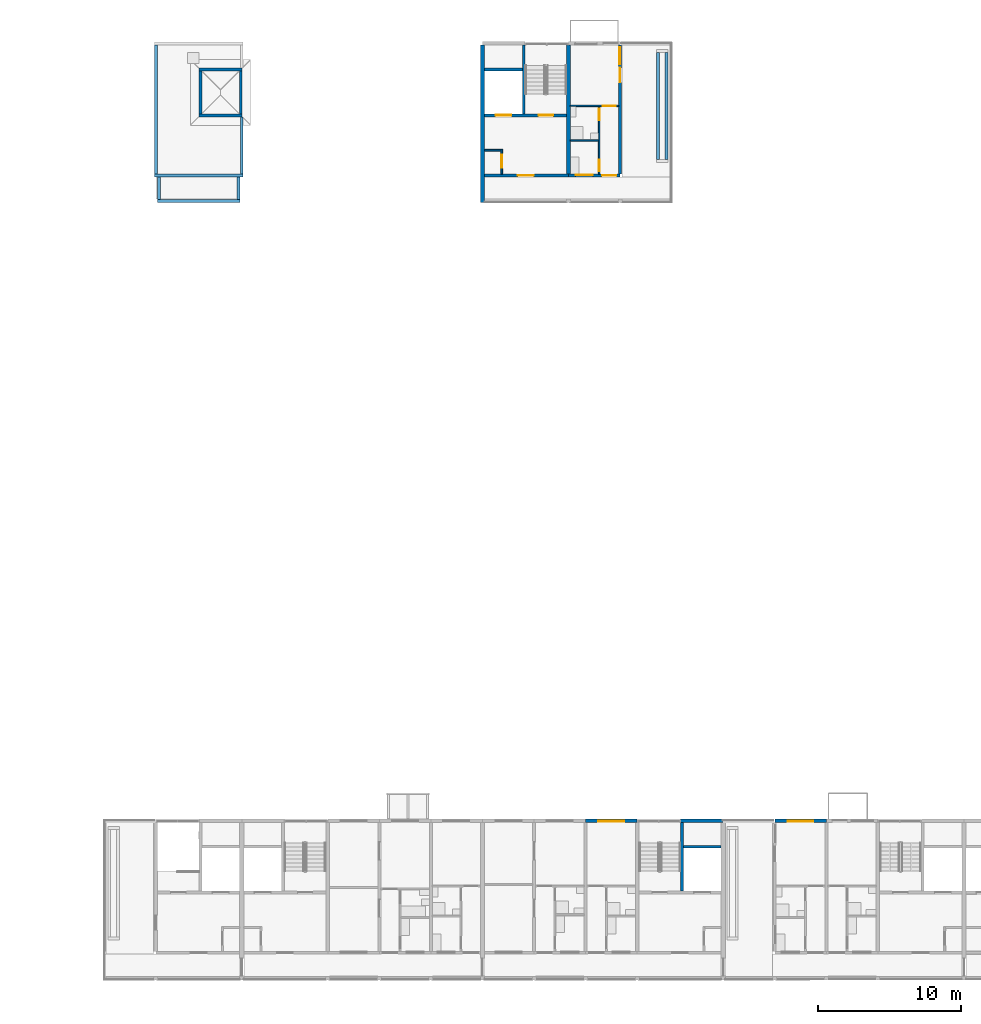
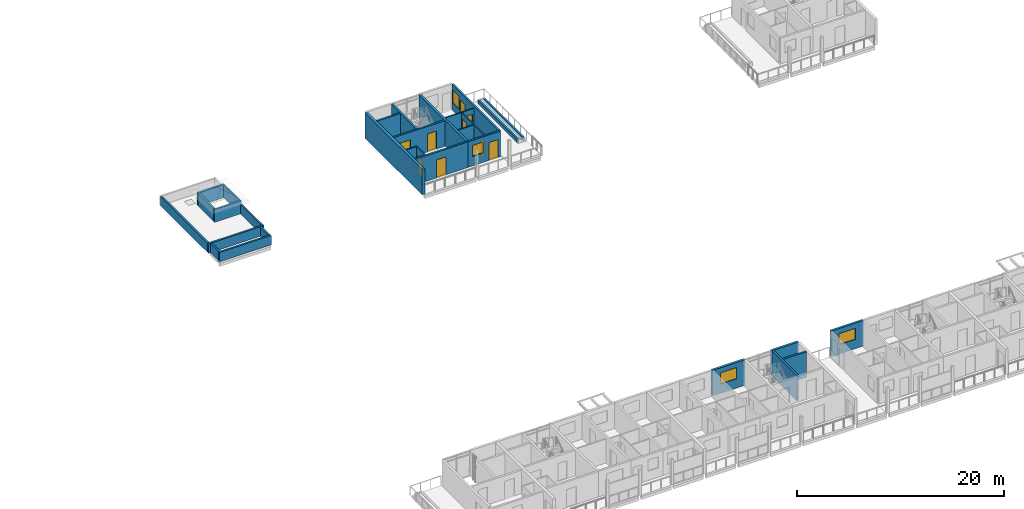
# One storey, part 35 of 64: 30 walls, 9 doors, 4 windows, 13 openings.
"""IFC4 building model written with IfcOpenShell, lengths in metres."""

from ifc_helpers import new_model, si_unit, direction, frame, frame_2d, origin, place, context, subcontext, project, spatial, rectangle, extrude, material, layer, layer_set, type_object, element, fill, save


model = new_model("IFC4")

# Units and contexts
model_context = context("Model", 3, precision=1e-05, world=origin(), true_north=direction((0.0, 1.0)))
body_context = subcontext(model_context, "Body", "Model", "MODEL_VIEW")
ifc_project = project(units=[si_unit("LENGTHUNIT", "METRE"), si_unit("AREAUNIT", "SQUARE_METRE"), si_unit("VOLUMEUNIT", "CUBIC_METRE"), si_unit("PLANEANGLEUNIT", "RADIAN"), si_unit("MASSUNIT", "GRAM", prefix="KILO")], contexts=[model_context])

# Site, building, storey
site_placement = place(None, origin())
site = spatial("IfcSite", under=ifc_project, at=site_placement, CompositionType="ELEMENT")
building_placement = place(site_placement, origin())
building = spatial("IfcBuilding", under=site, at=building_placement, Name="Ridgestep Commons", CompositionType="ELEMENT")
storey_placement = place(building_placement, frame((0.0, 0.0, 33.0)))
storey = spatial("IfcBuildingStorey", under=building, at=storey_placement, Name="L11", CompositionType="ELEMENT", Elevation=33.0)

# Wall
ifc_material_1 = material(Name="Concrete C30/37", Category="concrete")
ifc_layer_1 = layer(ifc_material_1, 0.25)
ifc_layer_set_1 = layer_set([ifc_layer_1], Name="Core cross wall 250")
wall_type_1 = type_object("IfcWallType", Name="Core cross wall 250", PredefinedType="SHEAR", material=ifc_layer_set_1)
wall_1_placement = place(storey_placement, frame((186.39990234375, 68.0, 0.0), z_axis=(0.0, 0.0, 1.0), x_axis=(0.0, 1.0, 0.0)))
element("IfcWall", 1, at=wall_1_placement, inside=storey, type_object=wall_type_1, Name="Cross wall C-11-1864", PredefinedType="SHEAR", context=body_context, shape_type="SweptSolid", body=[
    extrude(rectangle(XDim=9.0, YDim=0.25, at=frame_2d((4.5, 0.0))), origin(), (0.0, 0.0, 1.0), 3.0),
])

# Wall, opening, door
ifc_material_2 = material(Name="Concrete C30/37", Category="concrete")
ifc_layer_2 = layer(ifc_material_2, 0.199951171875)
ifc_layer_set_2 = layer_set([ifc_layer_2], Name="Core south wall 200")
wall_type_2 = type_object("IfcWallType", Name="Core south wall 200", PredefinedType="SHEAR", material=ifc_layer_set_2)
wall_2_placement = place(storey_placement, frame((180.550048828125, 67.89990234375, 0.0), z_axis=(0.0, 0.0, 1.0), x_axis=(1.0, 0.0, 0.0)))
wall_2 = element("IfcWall", 2, at=wall_2_placement, inside=storey, type_object=wall_type_2, Name="Core south wall C3C L11", PredefinedType="SHEAR", context=body_context, shape_type="SweptSolid", body=[
    extrude(rectangle(XDim=5.849853515625, YDim=0.199951171875, at=frame_2d((2.9248046875, 0.0))), origin(), (0.0, 0.0, 1.0), 3.0),
])
opening_1_placement = place(wall_2_placement, frame((2.3125, 0.0, 0.0)))
opening_1 = element("IfcOpeningElement", 3, at=opening_1_placement, cuts=wall_2, Name="Opening C3C/11/1", PredefinedType="OPENING", context=body_context, shape_type="SweptSolid", body=[
    extrude(rectangle(XDim=1.10009765625, YDim=2.10009765625, at=frame_2d((0.550048828125, 1.050048828125))), frame((0.0, 0.10986328125, 0.0), z_axis=(0.0, -1.0, 0.0), x_axis=(1.0, 0.0, 0.0)), (0.0, 0.0, 1.0), 0.219970703125),
])
ifc_material_3 = material(Name="Steel fire door", Category="steel")
door_type_1 = type_object("IfcDoorType", Name="Lobby door 1100 x 2100 FD60", OperationType="NOTDEFINED", PredefinedType="DOOR", material=ifc_material_3)
door_1_placement = place(opening_1_placement, origin())
door_1 = element("IfcDoor", 4, at=door_1_placement, inside=storey, type_object=door_type_1, Name="Lobby door C3C/11/1", OperationType="SINGLE_SWING_LEFT", OverallHeight=2.10009765625, OverallWidth=1.10009765625, PredefinedType="DOOR", context=body_context, shape_type="SweptSolid", body=[
    extrude(rectangle(XDim=1.10009765625, YDim=2.10009765625, at=frame_2d((0.550048828125, 1.050048828125))), frame((0.0, 0.02490234375, 0.0), z_axis=(0.0, -1.0, 0.0), x_axis=(1.0, 0.0, 0.0)), (0.0, 0.0, 1.0), 0.050048828125),
])
fill(opening_1, door_1)

ifc_material_4 = material(Name="Concrete C30/37", Category="concrete")
ifc_layer_3 = layer(ifc_material_4, 0.1201171875)
ifc_layer_set_3 = layer_set([ifc_layer_3], Name="Core wall 120")
wall_type_3 = type_object("IfcWallType", Name="Core wall 120", PredefinedType="SHEAR", material=ifc_layer_set_3)
wall_3_placement = place(storey_placement, frame((181.739990234375, 68.0, 0.0), z_axis=(0.0, 0.0, 1.0), x_axis=(0.0, 1.0, 0.0)))
wall_3 = element("IfcWall", 5, at=wall_3_placement, inside=storey, type_object=wall_type_3, Name="Core riser w wall C3C L11", PredefinedType="SHEAR", context=body_context, shape_type="SweptSolid", body=[
    extrude(rectangle(XDim=1.719970703125, YDim=0.1201171875, at=frame_2d((0.85986328125, 0.0))), origin(), (0.0, 0.0, 1.0), 3.0),
])
opening_2_placement = place(wall_3_placement, frame((0.449951171875, 0.0, 0.0)))
opening_2 = element("IfcOpeningElement", 6, at=opening_2_placement, cuts=wall_3, Name="Opening C3C/11/4", PredefinedType="OPENING", context=body_context, shape_type="SweptSolid", body=[
    extrude(rectangle(XDim=0.89990234375, YDim=2.10009765625, at=frame_2d((0.449951171875, 1.050048828125))), frame((0.0, 0.070068359375, 0.0), z_axis=(0.0, -1.0, 0.0), x_axis=(1.0, 0.0, 0.0)), (0.0, 0.0, 1.0), 0.14013671875),
])
ifc_material_5 = material(Name="Steel fire door", Category="steel")
door_type_2 = type_object("IfcDoorType", Name="Riser door 900 x 2100 FD60", OperationType="NOTDEFINED", PredefinedType="DOOR", material=ifc_material_5)
door_2_placement = place(opening_2_placement, origin())
door_2 = element("IfcDoor", 7, at=door_2_placement, inside=storey, type_object=door_type_2, Name="Riser door C3C/11/4", OperationType="SINGLE_SWING_RIGHT", OverallHeight=2.10009765625, OverallWidth=0.89990234375, PredefinedType="DOOR", context=body_context, shape_type="SweptSolid", body=[
    extrude(rectangle(XDim=0.89990234375, YDim=2.10009765625, at=frame_2d((0.449951171875, 1.050048828125))), frame((0.0, 0.02490234375, 0.0), z_axis=(0.0, -1.0, 0.0), x_axis=(1.0, 0.0, 0.0)), (0.0, 0.0, 1.0), 0.050048828125),
])
fill(opening_2, door_2)

# Wall
wall_4_placement = place(storey_placement, frame((180.550048828125, 69.659912109375, 0.0), z_axis=(0.0, 0.0, 1.0), x_axis=(1.0, 0.0, 0.0)))
element("IfcWall", 8, at=wall_4_placement, inside=storey, type_object=wall_type_3, Name="Core riser n wall C3C L11", PredefinedType="SHEAR", context=body_context, shape_type="SweptSolid", body=[
    extrude(rectangle(XDim=1.1298828125, YDim=0.1201171875, at=frame_2d((0.56494140625, 0.0))), origin(), (0.0, 0.0, 1.0), 3.0),
])

# Wall, openings, doors
ifc_material_6 = material(Name="Concrete C30/37", Category="concrete")
ifc_layer_4 = layer(ifc_material_6, 0.199951171875)
ifc_layer_set_4 = layer_set([ifc_layer_4], Name="Core wall 200")
wall_type_4 = type_object("IfcWallType", Name="Core wall 200", PredefinedType="SHEAR", material=ifc_layer_set_4)
wall_5_placement = place(storey_placement, frame((180.550048828125, 72.10009765625, 0.0), z_axis=(0.0, 0.0, 1.0), x_axis=(1.0, 0.0, 0.0)))
wall_5 = element("IfcWall", 9, at=wall_5_placement, inside=storey, type_object=wall_type_4, Name="Core lobby wall C3C L11", PredefinedType="SHEAR", context=body_context, shape_type="SweptSolid", body=[
    extrude(rectangle(XDim=5.724853515625, YDim=0.199951171875, at=frame_2d((2.8623046875, 0.0))), origin(), (0.0, 0.0, 1.0), 3.0),
])
opening_3_placement = place(wall_5_placement, frame((3.77490234375, 0.0, 0.0)))
opening_3 = element("IfcOpeningElement", 10, at=opening_3_placement, cuts=wall_5, Name="Opening C3C/11/2", PredefinedType="OPENING", context=body_context, shape_type="SweptSolid", body=[
    extrude(rectangle(XDim=1.0, YDim=2.10009765625, at=frame_2d((0.5, 1.050048828125))), frame((0.0, 0.10986328125, 0.0), z_axis=(0.0, -1.0, 0.0), x_axis=(1.0, 0.0, 0.0)), (0.0, 0.0, 1.0), 0.219970703125),
])
opening_4_placement = place(wall_5_placement, frame((0.762451171875, 0.0, 0.0)))
opening_4 = element("IfcOpeningElement", 11, at=opening_4_placement, cuts=wall_5, Name="Opening C3C/11/3", PredefinedType="OPENING", context=body_context, shape_type="SweptSolid", body=[
    extrude(rectangle(XDim=1.10009765625, YDim=2.10009765625, at=frame_2d((0.550048828125, 1.050048828125))), frame((0.0, 0.10986328125, 0.0), z_axis=(0.0, -1.0, 0.0), x_axis=(1.0, 0.0, 0.0)), (0.0, 0.0, 1.0), 0.219970703125),
])
ifc_material_7 = material(Name="Stainless steel", Category="steel")
door_type_3 = type_object("IfcDoorType", Name="Lift landing door 1100 x 2100 FD60", OperationType="DOUBLE_DOOR_SLIDING", PredefinedType="DOOR", material=ifc_material_7)
door_3_placement = place(opening_4_placement, origin())
door_3 = element("IfcDoor", 12, at=door_3_placement, inside=storey, type_object=door_type_3, Name="Landing door LD C3C L11", OperationType="DOUBLE_DOOR_SLIDING", OverallHeight=2.10009765625, OverallWidth=1.10009765625, PredefinedType="DOOR", context=body_context, shape_type="SweptSolid", body=[
    extrude(rectangle(XDim=1.10009765625, YDim=2.10009765625, at=frame_2d((0.550048828125, 1.050048828125))), frame((0.0, 0.02490234375, 0.0), z_axis=(0.0, -1.0, 0.0), x_axis=(1.0, 0.0, 0.0)), (0.0, 0.0, 1.0), 0.050048828125),
])
fill(opening_4, door_3)
ifc_material_8 = material(Name="Steel fire door", Category="steel")
door_type_4 = type_object("IfcDoorType", Name="Stair door 1000 x 2100 FD60", OperationType="NOTDEFINED", PredefinedType="DOOR", material=ifc_material_8)
door_4_placement = place(opening_3_placement, origin())
door_4 = element("IfcDoor", 13, at=door_4_placement, inside=storey, type_object=door_type_4, Name="Stair door C3C/11/2", OperationType="SINGLE_SWING_RIGHT", OverallHeight=2.10009765625, OverallWidth=1.0, PredefinedType="DOOR", context=body_context, shape_type="SweptSolid", body=[
    extrude(rectangle(XDim=1.0, YDim=2.10009765625, at=frame_2d((0.5, 1.050048828125))), frame((0.0, 0.02490234375, 0.0), z_axis=(0.0, -1.0, 0.0), x_axis=(1.0, 0.0, 0.0)), (0.0, 0.0, 1.0), 0.050048828125),
])
fill(opening_3, door_4)

# Walls
wall_6_placement = place(storey_placement, frame((183.27490234375, 72.199951171875, 0.0), z_axis=(0.0, 0.0, 1.0), x_axis=(0.0, 1.0, 0.0)))
element("IfcWall", 14, at=wall_6_placement, inside=storey, type_object=wall_type_4, Name="Core stair wall C3C L11", PredefinedType="SHEAR", context=body_context, shape_type="SweptSolid", body=[
    extrude(rectangle(XDim=4.800048828125, YDim=0.199951171875, at=frame_2d((2.39990234375, 0.0))), origin(), (0.0, 0.0, 1.0), 3.0),
])
wall_7_placement = place(storey_placement, frame((180.550048828125, 75.300048828125, 0.0), z_axis=(0.0, 0.0, 1.0), x_axis=(1.0, 0.0, 0.0)))
element("IfcWall", 15, at=wall_7_placement, inside=storey, type_object=wall_type_4, Name="Core duct wall C3C L11", PredefinedType="SHEAR", context=body_context, shape_type="SweptSolid", body=[
    extrude(rectangle(XDim=2.625, YDim=0.199951171875, at=frame_2d((1.3125, 0.0))), origin(), (0.0, 0.0, 1.0), 3.0),
])
wall_8_placement = place(storey_placement, frame((194.324951171875, 17.949951171875, 0.0), z_axis=(0.0, 0.0, 1.0), x_axis=(0.0, 1.0, 0.0)))
element("IfcWall", 16, at=wall_8_placement, inside=storey, type_object=wall_type_4, Name="Core stair wall D3C L11", PredefinedType="SHEAR", context=body_context, shape_type="SweptSolid", body=[
    extrude(rectangle(XDim=4.800048828125, YDim=0.199951171875, at=frame_2d((2.39990234375, 0.0))), origin(), (0.0, 0.0, 1.0), 3.0),
])
wall_9_placement = place(storey_placement, frame((194.425048828125, 21.050048828125, 0.0), z_axis=(0.0, 0.0, 1.0), x_axis=(1.0, 0.0, 0.0)))
element("IfcWall", 17, at=wall_9_placement, inside=storey, type_object=wall_type_4, Name="Core duct wall D3C L11", PredefinedType="SHEAR", context=body_context, shape_type="SweptSolid", body=[
    extrude(rectangle(XDim=2.625, YDim=0.199951171875, at=frame_2d((1.3125, 0.0))), origin(), (0.0, 0.0, 1.0), 3.0),
])

# Wall, openings, window, door
ifc_material_9 = material(Name="Precast concrete C40/50", Category="concrete")
ifc_layer_5 = layer(ifc_material_9, 0.199951171875)
ifc_layer_set_5 = layer_set([ifc_layer_5], Name="Exposed cross wall 200")
wall_type_5 = type_object("IfcWallType", Name="Exposed cross wall 200", PredefinedType="SHEAR", material=ifc_layer_set_5)
wall_10_placement = place(storey_placement, frame((190.0, 68.0, 0.0), z_axis=(0.0, 0.0, 1.0), x_axis=(0.0, 1.0, 0.0)))
wall_10 = element("IfcWall", 18, at=wall_10_placement, inside=storey, type_object=wall_type_5, Name="Cross wall C-11-1900", PredefinedType="SHEAR", context=body_context, shape_type="SweptSolid", body=[
    extrude(rectangle(XDim=9.0, YDim=0.199951171875, at=frame_2d((4.5, 0.0))), origin(), (0.0, 0.0, 1.0), 3.0),
])
opening_5_placement = place(wall_10_placement, frame((7.652587890625, 0.0, 0.89990234375)))
opening_5 = element("IfcOpeningElement", 19, at=opening_5_placement, cuts=wall_10, Name="Opening W10", PredefinedType="OPENING", context=body_context, shape_type="SweptSolid", body=[
    extrude(rectangle(XDim=1.199951171875, YDim=1.5, at=frame_2d((0.60009765625, 0.75))), frame((0.0, 0.10986328125, 0.0), z_axis=(0.0, -1.0, 0.0), x_axis=(1.0, 0.0, 0.0)), (0.0, 0.0, 1.0), 0.219970703125),
])
opening_6_placement = place(wall_10_placement, frame((6.405029296875, 0.0, 0.0)))
opening_6 = element("IfcOpeningElement", 20, at=opening_6_placement, cuts=wall_10, Name="Opening C3-11a/5", PredefinedType="OPENING", context=body_context, shape_type="SweptSolid", body=[
    extrude(rectangle(XDim=1.0, YDim=2.10009765625, at=frame_2d((0.5, 1.050048828125))), frame((0.0, 0.10986328125, 0.0), z_axis=(0.0, -1.0, 0.0), x_axis=(1.0, 0.0, 0.0)), (0.0, 0.0, 1.0), 0.219970703125),
])
ifc_material_10 = material(Name="Aluminium 6063-T6 and glass", Category="aluminium")
window_type_1 = type_object("IfcWindowType", Name="Flat window 1200 x 1500", PartitioningType="SINGLE_PANEL", PredefinedType="WINDOW", material=ifc_material_10)
window_1_placement = place(opening_5_placement, origin())
window_1 = element("IfcWindow", 21, at=window_1_placement, inside=storey, type_object=window_type_1, Name="Window C3-11a 3", OverallHeight=1.5, OverallWidth=1.199951171875, PartitioningType="SINGLE_PANEL", PredefinedType="WINDOW", context=body_context, shape_type="SweptSolid", body=[
    extrude(rectangle(XDim=1.199951171875, YDim=1.5, at=frame_2d((0.60009765625, 0.75))), frame((0.0, 0.06005859375, 0.0), z_axis=(0.0, -1.0, 0.0), x_axis=(1.0, 0.0, 0.0)), (0.0, 0.0, 1.0), 0.06005859375),
])
fill(opening_5, window_1)
ifc_material_11 = material(Name="Aluminium and glass", Category="aluminium")
door_type_5 = type_object("IfcDoorType", Name="Terrace door 1000 x 2100", OperationType="NOTDEFINED", PredefinedType="DOOR", material=ifc_material_11)
door_5_placement = place(opening_6_placement, origin())
door_5 = element("IfcDoor", 22, at=door_5_placement, inside=storey, type_object=door_type_5, Name="Terrace door C3-11a/5", OperationType="SINGLE_SWING_LEFT", OverallHeight=2.10009765625, OverallWidth=1.0, PredefinedType="DOOR", context=body_context, shape_type="SweptSolid", body=[
    extrude(rectangle(XDim=1.0, YDim=2.10009765625, at=frame_2d((0.5, 1.050048828125))), frame((0.0, 0.02490234375, 0.0), z_axis=(0.0, -1.0, 0.0), x_axis=(1.0, 0.0, 0.0)), (0.0, 0.0, 1.0), 0.050048828125),
])
fill(opening_6, door_5)

# Walls
ifc_material_12 = material(Name="Precast concrete C40/50", Category="concrete")
ifc_layer_6 = layer(ifc_material_12, 0.300048828125)
ifc_layer_set_6 = layer_set([ifc_layer_6], Name="Exposed division wall 300")
wall_type_6 = type_object("IfcWallType", Name="Exposed division wall 300", PredefinedType="SHEAR", material=ifc_layer_set_6)
wall_11_placement = place(storey_placement, frame((180.39990234375, 66.0, 0.0), z_axis=(0.0, 0.0, 1.0), x_axis=(0.0, 1.0, 0.0)))
element("IfcWall", 23, at=wall_11_placement, inside=storey, type_object=wall_type_6, Name="Cross wall C-11-1804", PredefinedType="SHEAR", context=body_context, shape_type="SweptSolid", body=[
    extrude(rectangle(XDim=11.0, YDim=0.300048828125, at=frame_2d((5.5, 0.0))), origin(), (0.0, 0.0, 1.0), 3.0),
])
ifc_material_13 = material(Name="Concrete C30/37", Category="concrete")
ifc_layer_7 = layer(ifc_material_13, 0.14990234375)
ifc_layer_set_7 = layer_set([ifc_layer_7], Name="Lift overrun wall 150")
wall_type_7 = type_object("IfcWallType", Name="Lift overrun wall 150", PredefinedType="SHEAR", material=ifc_layer_set_7)
wall_12_placement = place(storey_placement, frame((163.52490234375, 72.199951171875, 0.0), z_axis=(0.0, 0.0, 1.0), x_axis=(0.0, 1.0, 0.0)))
element("IfcWall", 24, at=wall_12_placement, inside=storey, type_object=wall_type_7, Name="Lift overrun wall C1C", PredefinedType="SHEAR", context=body_context, shape_type="SweptSolid", body=[
    extrude(rectangle(XDim=3.0, YDim=0.14990234375, at=frame_2d((1.5, 0.0))), origin(), (0.0, 0.0, 1.0), 1.5),
])
ifc_material_14 = material(Name="Concrete C30/37", Category="concrete")
ifc_layer_8 = layer(ifc_material_14, 0.199951171875)
ifc_layer_set_8 = layer_set([ifc_layer_8], Name="Lift overrun wall 200")
wall_type_8 = type_object("IfcWallType", Name="Lift overrun wall 200", PredefinedType="SHEAR", material=ifc_layer_set_8)
for number, where, z_axis, x_axis, name in (
    (25, (160.625, 72.10009765625, 0.0), (0.0, 0.0, 1.0), (1.0, 0.0, 0.0), "Lift overrun wall C1C"),
    (26, (160.625, 75.300048828125, 0.0), (0.0, 0.0, 1.0), (1.0, 0.0, 0.0), "Lift overrun wall C1C"),
):
    element("IfcWall", number, at=place(storey_placement, frame(where, z_axis=z_axis, x_axis=x_axis)), inside=storey, type_object=wall_type_8, Name=name, PredefinedType="SHEAR", context=body_context, shape_type="SweptSolid", body=[
        extrude(rectangle(XDim=2.97509765625, YDim=0.199951171875, at=frame_2d((1.487548828125, 0.0))), origin(), (0.0, 0.0, 1.0), 1.5),
    ])
wall_13_placement = place(storey_placement, frame((160.72509765625, 72.199951171875, 0.0), z_axis=(0.0, 0.0, 1.0), x_axis=(0.0, 1.0, 0.0)))
element("IfcWall", 27, at=wall_13_placement, inside=storey, type_object=wall_type_8, Name="Lift overrun wall C1C", PredefinedType="SHEAR", context=body_context, shape_type="SweptSolid", body=[
    extrude(rectangle(XDim=3.0, YDim=0.199951171875, at=frame_2d((1.5, 0.0))), origin(), (0.0, 0.0, 1.0), 1.5),
])

# Wall, opening, window
ifc_material_15 = material(Name="Precast concrete C40/50", Category="concrete")
ifc_layer_9 = layer(ifc_material_15, 0.25)
ifc_layer_set_9 = layer_set([ifc_layer_9], Name="North facade panel 250")
wall_type_9 = type_object("IfcWallType", Name="North facade panel 250", PredefinedType="SOLIDWALL", material=ifc_layer_set_9)
wall_14_placement = place(storey_placement, frame((187.60009765625, 22.875, 0.0), z_axis=(0.0, 0.0, 1.0), x_axis=(1.0, 0.0, 0.0)))
wall_14 = element("IfcWall", 28, at=wall_14_placement, inside=storey, type_object=wall_type_9, Name="North panel D3T3 L11", PredefinedType="SOLIDWALL", context=body_context, shape_type="SweptSolid", body=[
    extrude(rectangle(XDim=3.599853515625, YDim=0.25, at=frame_2d((1.7998046875, 0.0))), origin(), (0.0, 0.0, 1.0), 3.0),
])
opening_7_placement = place(wall_14_placement, frame((0.887451171875, 0.0, 1.10009765625)))
opening_7 = element("IfcOpeningElement", 29, at=opening_7_placement, cuts=wall_14, Name="Opening W18", PredefinedType="OPENING", context=body_context, shape_type="SweptSolid", body=[
    extrude(rectangle(XDim=1.800048828125, YDim=1.300048828125, at=frame_2d((0.89990234375, 0.64990234375))), frame((0.0, 0.135009765625, 0.0), z_axis=(0.0, -1.0, 0.0), x_axis=(1.0, 0.0, 0.0)), (0.0, 0.0, 1.0), 0.27001953125),
])
ifc_material_16 = material(Name="Aluminium 6063-T6 and glass", Category="aluminium")
window_type_2 = type_object("IfcWindowType", Name="Flat window 1800 x 1300", PartitioningType="DOUBLE_PANEL_VERTICAL", PredefinedType="WINDOW", material=ifc_material_16)
window_2_placement = place(opening_7_placement, origin())
window_2 = element("IfcWindow", 30, at=window_2_placement, inside=storey, type_object=window_type_2, Name="Window D3-11b 2", OverallHeight=1.300048828125, OverallWidth=1.800048828125, PartitioningType="SINGLE_PANEL", PredefinedType="WINDOW", context=body_context, shape_type="SweptSolid", body=[
    extrude(rectangle(XDim=1.800048828125, YDim=1.300048828125, at=frame_2d((0.89990234375, 0.64990234375))), frame((0.0, -0.02490234375, 0.0), z_axis=(0.0, -1.0, 0.0), x_axis=(1.0, 0.0, 0.0)), (0.0, 0.0, 1.0), 0.06005859375),
])
fill(opening_7, window_2)

# Wall
wall_15_placement = place(storey_placement, frame((194.22509765625, 22.875, 0.0), z_axis=(0.0, 0.0, 1.0), x_axis=(1.0, 0.0, 0.0)))
element("IfcWall", 31, at=wall_15_placement, inside=storey, type_object=wall_type_9, Name="North panel D3C L11", PredefinedType="SOLIDWALL", context=body_context, shape_type="SweptSolid", body=[
    extrude(rectangle(XDim=2.974853515625, YDim=0.25, at=frame_2d((1.4873046875, 0.0))), origin(), (0.0, 0.0, 1.0), 3.0),
])

# Wall, opening, window
wall_16_placement = place(storey_placement, frame((200.800048828125, 22.875, 0.0), z_axis=(0.0, 0.0, 1.0), x_axis=(1.0, 0.0, 0.0)))
wall_16 = element("IfcWall", 32, at=wall_16_placement, inside=storey, type_object=wall_type_9, Name="North panel D4T2 L11", PredefinedType="SOLIDWALL", context=body_context, shape_type="SweptSolid", body=[
    extrude(rectangle(XDim=3.599853515625, YDim=0.25, at=frame_2d((1.7998046875, 0.0))), origin(), (0.0, 0.0, 1.0), 3.0),
])
opening_8_placement = place(wall_16_placement, frame((0.89990234375, 0.0, 1.10009765625)))
opening_8 = element("IfcOpeningElement", 33, at=opening_8_placement, cuts=wall_16, Name="Opening W18", PredefinedType="OPENING", context=body_context, shape_type="SweptSolid", body=[
    extrude(rectangle(XDim=1.800048828125, YDim=1.300048828125, at=frame_2d((0.89990234375, 0.64990234375))), frame((0.0, 0.135009765625, 0.0), z_axis=(0.0, -1.0, 0.0), x_axis=(1.0, 0.0, 0.0)), (0.0, 0.0, 1.0), 0.27001953125),
])
window_3_placement = place(opening_8_placement, origin())
window_3 = element("IfcWindow", 34, at=window_3_placement, inside=storey, type_object=window_type_2, Name="Window D4-11a 2", OverallHeight=1.300048828125, OverallWidth=1.800048828125, PartitioningType="SINGLE_PANEL", PredefinedType="WINDOW", context=body_context, shape_type="SweptSolid", body=[
    extrude(rectangle(XDim=1.800048828125, YDim=1.300048828125, at=frame_2d((0.89990234375, 0.64990234375))), frame((0.0, -0.02490234375, 0.0), z_axis=(0.0, -1.0, 0.0), x_axis=(1.0, 0.0, 0.0)), (0.0, 0.0, 1.0), 0.06005859375),
])
fill(opening_8, window_3)

# Walls
ifc_material_17 = material(Name="Precast concrete C40/50", Category="concrete")
ifc_layer_10 = layer(ifc_material_17, 0.199951171875)
ifc_layer_set_10 = layer_set([ifc_layer_10], Name="Parapet wall 200")
wall_type_10 = type_object("IfcWallType", Name="Parapet wall 200", PredefinedType="PARAPET", material=ifc_layer_set_10)
wall_17_placement = place(storey_placement, frame((157.5, 67.89990234375, 0.0), z_axis=(0.0, 0.0, 1.0), x_axis=(1.0, 0.0, 0.0)))
element("IfcWall", 35, at=wall_17_placement, inside=storey, type_object=wall_type_10, Name="Parapet C1C south", PredefinedType="PARAPET", context=body_context, shape_type="SweptSolid", body=[
    extrude(rectangle(XDim=6.199951171875, YDim=0.199951171875, at=frame_2d((3.10009765625, 0.0))), origin(), (0.0, 0.0, 1.0), 1.10009765625),
])
wall_18_placement = place(storey_placement, frame((157.60009765625, 68.0, 0.0), z_axis=(0.0, 0.0, 1.0), x_axis=(0.0, 1.0, 0.0)))
element("IfcWall", 36, at=wall_18_placement, inside=storey, type_object=wall_type_10, Name="Parapet C1C west", PredefinedType="PARAPET", context=body_context, shape_type="SweptSolid", body=[
    extrude(rectangle(XDim=9.02490234375, YDim=0.199951171875, at=frame_2d((4.512451171875, 0.0))), origin(), (0.0, 0.0, 1.0), 1.10009765625),
])
wall_19_placement = place(storey_placement, frame((163.60009765625, 68.0, 0.0), z_axis=(0.0, 0.0, 1.0), x_axis=(0.0, 1.0, 0.0)))
element("IfcWall", 37, at=wall_19_placement, inside=storey, type_object=wall_type_10, Name="Parapet C1C east", PredefinedType="PARAPET", context=body_context, shape_type="SweptSolid", body=[
    extrude(rectangle(XDim=4.0, YDim=0.199951171875, at=frame_2d((2.0, 0.0))), origin(), (0.0, 0.0, 1.0), 1.10009765625),
])
wall_20_placement = place(storey_placement, frame((157.72509765625, 66.125, 0.0), z_axis=(0.0, 0.0, 1.0), x_axis=(1.0, 0.0, 0.0)))
element("IfcWall", 38, at=wall_20_placement, inside=storey, type_object=wall_type_10, Name="Parapet C1C gallery south", PredefinedType="PARAPET", context=body_context, shape_type="SweptSolid", body=[
    extrude(rectangle(XDim=5.75, YDim=0.199951171875, at=frame_2d((2.875, 0.0))), origin(), (0.0, 0.0, 1.0), 1.10009765625),
])
for number, where, z_axis, x_axis, name in (
    (39, (157.824951171875, 66.22509765625, 0.0), (0.0, 0.0, 1.0), (0.0, 1.0, 0.0), "Parapet C1C gallery west"),
    (40, (163.375, 66.22509765625, 0.0), (0.0, 0.0, 1.0), (0.0, 1.0, 0.0), "Parapet C1C gallery east"),
):
    element("IfcWall", number, at=place(storey_placement, frame(where, z_axis=z_axis, x_axis=x_axis)), inside=storey, type_object=wall_type_10, Name=name, PredefinedType="PARAPET", context=body_context, shape_type="SweptSolid", body=[
        extrude(rectangle(XDim=1.574951171875, YDim=0.199951171875, at=frame_2d((0.78759765625, 0.0))), origin(), (0.0, 0.0, 1.0), 1.10009765625),
    ])
ifc_material_18 = material(Name="Common brick 110 mm", Category="masonry")
ifc_layer_11 = layer(ifc_material_18, 0.110107421875)
ifc_layer_set_11 = layer_set([ifc_layer_11], Name="Partition 110")
wall_type_11 = type_object("IfcWallType", Name="Partition 110", PredefinedType="PARTITIONING", material=ifc_layer_set_11)
wall_21_placement = place(storey_placement, frame((186.52490234375, 70.35498046875, 0.0), z_axis=(0.0, 0.0, 1.0), x_axis=(1.0, 0.0, 0.0)))
element("IfcWall", 41, at=wall_21_placement, inside=storey, type_object=wall_type_11, Name="Partition C3-11a", PredefinedType="PARTITIONING", context=body_context, shape_type="SweptSolid", body=[
    extrude(rectangle(XDim=1.965087890625, YDim=0.110107421875, at=frame_2d((0.982421875, 0.0))), origin(), (0.0, 0.0, 1.0), 2.75),
])

# Wall, openings, doors
wall_22_placement = place(storey_placement, frame((188.544921875, 68.0, 0.0), z_axis=(0.0, 0.0, 1.0), x_axis=(0.0, 1.0, 0.0)))
wall_22 = element("IfcWall", 42, at=wall_22_placement, inside=storey, type_object=wall_type_11, Name="Partition C3-11a", PredefinedType="PARTITIONING", context=body_context, shape_type="SweptSolid", body=[
    extrude(rectangle(XDim=4.699951171875, YDim=0.110107421875, at=frame_2d((2.35009765625, 0.0))), origin(), (0.0, 0.0, 1.0), 2.75),
])
opening_9_placement = place(wall_22_placement, frame((0.199951171875, 0.0, 0.0)))
opening_9 = element("IfcOpeningElement", 43, at=opening_9_placement, cuts=wall_22, Name="Opening C3-11a/2", PredefinedType="OPENING", context=body_context, shape_type="SweptSolid", body=[
    extrude(rectangle(XDim=0.800048828125, YDim=2.10009765625, at=frame_2d((0.39990234375, 1.050048828125))), frame((0.0, 0.06494140625, 0.0), z_axis=(0.0, -1.0, 0.0), x_axis=(1.0, 0.0, 0.0)), (0.0, 0.0, 1.0), 0.130126953125),
])
opening_10_placement = place(wall_22_placement, frame((3.75, 0.0, 0.0)))
opening_10 = element("IfcOpeningElement", 44, at=opening_10_placement, cuts=wall_22, Name="Opening C3-11a/3", PredefinedType="OPENING", context=body_context, shape_type="SweptSolid", body=[
    extrude(rectangle(XDim=0.800048828125, YDim=2.10009765625, at=frame_2d((0.39990234375, 1.050048828125))), frame((0.0, 0.06494140625, 0.0), z_axis=(0.0, -1.0, 0.0), x_axis=(1.0, 0.0, 0.0)), (0.0, 0.0, 1.0), 0.130126953125),
])
ifc_material_19 = material(Name="Timber door leaf", Category="wood")
door_type_6 = type_object("IfcDoorType", Name="Internal door 800 x 2100", OperationType="NOTDEFINED", PredefinedType="DOOR", material=ifc_material_19)
door_6_placement = place(opening_9_placement, origin())
door_6 = element("IfcDoor", 45, at=door_6_placement, inside=storey, type_object=door_type_6, Name="Internal door C3-11a/2", OperationType="SINGLE_SWING_LEFT", OverallHeight=2.10009765625, OverallWidth=0.800048828125, PredefinedType="DOOR", context=body_context, shape_type="SweptSolid", body=[
    extrude(rectangle(XDim=0.800048828125, YDim=2.10009765625, at=frame_2d((0.39990234375, 1.050048828125))), frame((0.0, 0.02490234375, 0.0), z_axis=(0.0, -1.0, 0.0), x_axis=(1.0, 0.0, 0.0)), (0.0, 0.0, 1.0), 0.050048828125),
])
fill(opening_9, door_6)
door_7_placement = place(opening_10_placement, origin())
door_7 = element("IfcDoor", 46, at=door_7_placement, inside=storey, type_object=door_type_6, Name="Internal door C3-11a/3", OperationType="SINGLE_SWING_RIGHT", OverallHeight=2.10009765625, OverallWidth=0.800048828125, PredefinedType="DOOR", context=body_context, shape_type="SweptSolid", body=[
    extrude(rectangle(XDim=0.800048828125, YDim=2.10009765625, at=frame_2d((0.39990234375, 1.050048828125))), frame((0.0, 0.02490234375, 0.0), z_axis=(0.0, -1.0, 0.0), x_axis=(1.0, 0.0, 0.0)), (0.0, 0.0, 1.0), 0.050048828125),
])
fill(opening_10, door_7)

# Wall, opening, door
wall_23_placement = place(storey_placement, frame((186.52490234375, 72.7548828125, 0.0), z_axis=(0.0, 0.0, 1.0), x_axis=(1.0, 0.0, 0.0)))
wall_23 = element("IfcWall", 47, at=wall_23_placement, inside=storey, type_object=wall_type_11, Name="Partition C3-11a", PredefinedType="PARTITIONING", context=body_context, shape_type="SweptSolid", body=[
    extrude(rectangle(XDim=3.375, YDim=0.110107421875, at=frame_2d((1.6875, 0.0))), origin(), (0.0, 0.0, 1.0), 2.75),
])
opening_11_placement = place(wall_23_placement, frame((2.27490234375, 0.0, 0.0)))
opening_11 = element("IfcOpeningElement", 48, at=opening_11_placement, cuts=wall_23, Name="Opening C3-11a/4", PredefinedType="OPENING", context=body_context, shape_type="SweptSolid", body=[
    extrude(rectangle(XDim=0.89990234375, YDim=2.10009765625, at=frame_2d((0.449951171875, 1.050048828125))), frame((0.0, 0.06494140625, 0.0), z_axis=(0.0, -1.0, 0.0), x_axis=(1.0, 0.0, 0.0)), (0.0, 0.0, 1.0), 0.130126953125),
])
ifc_material_20 = material(Name="Timber door leaf", Category="wood")
door_type_7 = type_object("IfcDoorType", Name="Internal door 900 x 2100", OperationType="NOTDEFINED", PredefinedType="DOOR", material=ifc_material_20)
door_8_placement = place(opening_11_placement, origin())
door_8 = element("IfcDoor", 49, at=door_8_placement, inside=storey, type_object=door_type_7, Name="Internal door C3-11a/4", OperationType="SINGLE_SWING_LEFT", OverallHeight=2.10009765625, OverallWidth=0.89990234375, PredefinedType="DOOR", context=body_context, shape_type="SweptSolid", body=[
    extrude(rectangle(XDim=0.89990234375, YDim=2.10009765625, at=frame_2d((0.449951171875, 1.050048828125))), frame((0.0, 0.02490234375, 0.0), z_axis=(0.0, -1.0, 0.0), x_axis=(1.0, 0.0, 0.0)), (0.0, 0.0, 1.0), 0.050048828125),
])
fill(opening_11, door_8)

# Walls
ifc_material_21 = material(Name="Facing brick", Category="masonry")
ifc_layer_12 = layer(ifc_material_21, 0.199951171875)
ifc_layer_set_12 = layer_set([ifc_layer_12], Name="Planter wall 200")
wall_type_12 = type_object("IfcWallType", Name="Planter wall 200", PredefinedType="SOLIDWALL", material=ifc_layer_set_12)
for number, where, z_axis, x_axis, name in (
    (50, (192.64990234375, 69.0, 0.010009765625), (0.0, 0.0, 1.0), (0.0, 1.0, 0.0), "Planter wall C3R2W"),
    (51, (193.25, 69.0, 0.010009765625), (0.0, 0.0, 1.0), (0.0, 1.0, 0.0), "Planter wall C3R2E"),
):
    element("IfcWall", number, at=place(storey_placement, frame(where, z_axis=z_axis, x_axis=x_axis)), inside=storey, type_object=wall_type_12, Name=name, PredefinedType="SOLIDWALL", context=body_context, shape_type="SweptSolid", body=[
        extrude(rectangle(XDim=7.5, YDim=0.199951171875, at=frame_2d((3.75, 0.0))), origin(), (0.0, 0.0, 1.0), 0.449951171875),
    ])

# Wall, openings, door, window
ifc_material_22 = material(Name="Precast concrete C40/50", Category="concrete")
ifc_layer_13 = layer(ifc_material_22, 0.199951171875)
ifc_layer_set_13 = layer_set([ifc_layer_13], Name="South facade panel 200")
wall_type_13 = type_object("IfcWallType", Name="South facade panel 200", PredefinedType="SOLIDWALL", material=ifc_layer_set_13)
wall_24_placement = place(storey_placement, frame((186.39990234375, 67.89990234375, 0.0), z_axis=(0.0, 0.0, 1.0), x_axis=(1.0, 0.0, 0.0)))
wall_24 = element("IfcWall", 52, at=wall_24_placement, inside=storey, type_object=wall_type_13, Name="South panel C3T3 L11", PredefinedType="SOLIDWALL", context=body_context, shape_type="SweptSolid", body=[
    extrude(rectangle(XDim=3.60009765625, YDim=0.199951171875, at=frame_2d((1.800048828125, 0.0))), origin(), (0.0, 0.0, 1.0), 3.0),
])
opening_12_placement = place(wall_24_placement, frame((0.507568359375, 0.0, 1.10009765625)))
opening_12 = element("IfcOpeningElement", 53, at=opening_12_placement, cuts=wall_24, Name="Opening W08", PredefinedType="OPENING", context=body_context, shape_type="SweptSolid", body=[
    extrude(rectangle(XDim=1.199951171875, YDim=1.300048828125, at=frame_2d((0.60009765625, 0.64990234375))), frame((0.0, 0.10986328125, 0.0), z_axis=(0.0, -1.0, 0.0), x_axis=(1.0, 0.0, 0.0)), (0.0, 0.0, 1.0), 0.219970703125),
])
opening_13_placement = place(wall_24_placement, frame((2.35009765625, 0.0, 0.0)))
opening_13 = element("IfcOpeningElement", 54, at=opening_13_placement, cuts=wall_24, Name="Opening C3-11a/1", PredefinedType="OPENING", context=body_context, shape_type="SweptSolid", body=[
    extrude(rectangle(XDim=1.0, YDim=2.10009765625, at=frame_2d((0.5, 1.050048828125))), frame((0.0, 0.10986328125, 0.0), z_axis=(0.0, -1.0, 0.0), x_axis=(1.0, 0.0, 0.0)), (0.0, 0.0, 1.0), 0.219970703125),
])
ifc_material_23 = material(Name="Timber door leaf", Category="wood")
door_type_8 = type_object("IfcDoorType", Name="Flat entrance door 1000 x 2100 FD30S", OperationType="NOTDEFINED", PredefinedType="DOOR", material=ifc_material_23)
door_9_placement = place(opening_13_placement, origin())
door_9 = element("IfcDoor", 55, at=door_9_placement, inside=storey, type_object=door_type_8, Name="Flat entrance door C3-11a/1", OperationType="SINGLE_SWING_RIGHT", OverallHeight=2.10009765625, OverallWidth=1.0, PredefinedType="DOOR", context=body_context, shape_type="SweptSolid", body=[
    extrude(rectangle(XDim=1.0, YDim=2.10009765625, at=frame_2d((0.5, 1.050048828125))), frame((0.0, 0.02490234375, 0.0), z_axis=(0.0, -1.0, 0.0), x_axis=(1.0, 0.0, 0.0)), (0.0, 0.0, 1.0), 0.050048828125),
])
fill(opening_13, door_9)
ifc_material_24 = material(Name="Aluminium 6063-T6 and glass", Category="aluminium")
window_type_3 = type_object("IfcWindowType", Name="Flat window 1200 x 1300", PartitioningType="SINGLE_PANEL", PredefinedType="WINDOW", material=ifc_material_24)
window_4_placement = place(opening_12_placement, origin())
window_4 = element("IfcWindow", 56, at=window_4_placement, inside=storey, type_object=window_type_3, Name="Window C3-11a 1", OverallHeight=1.300048828125, OverallWidth=1.199951171875, PartitioningType="SINGLE_PANEL", PredefinedType="WINDOW", context=body_context, shape_type="SweptSolid", body=[
    extrude(rectangle(XDim=1.199951171875, YDim=1.300048828125, at=frame_2d((0.60009765625, 0.64990234375))), frame((0.0, 0.06005859375, 0.0), z_axis=(0.0, -1.0, 0.0), x_axis=(1.0, 0.0, 0.0)), (0.0, 0.0, 1.0), 0.06005859375),
])
fill(opening_12, window_4)

save(model, "model.ifc")
